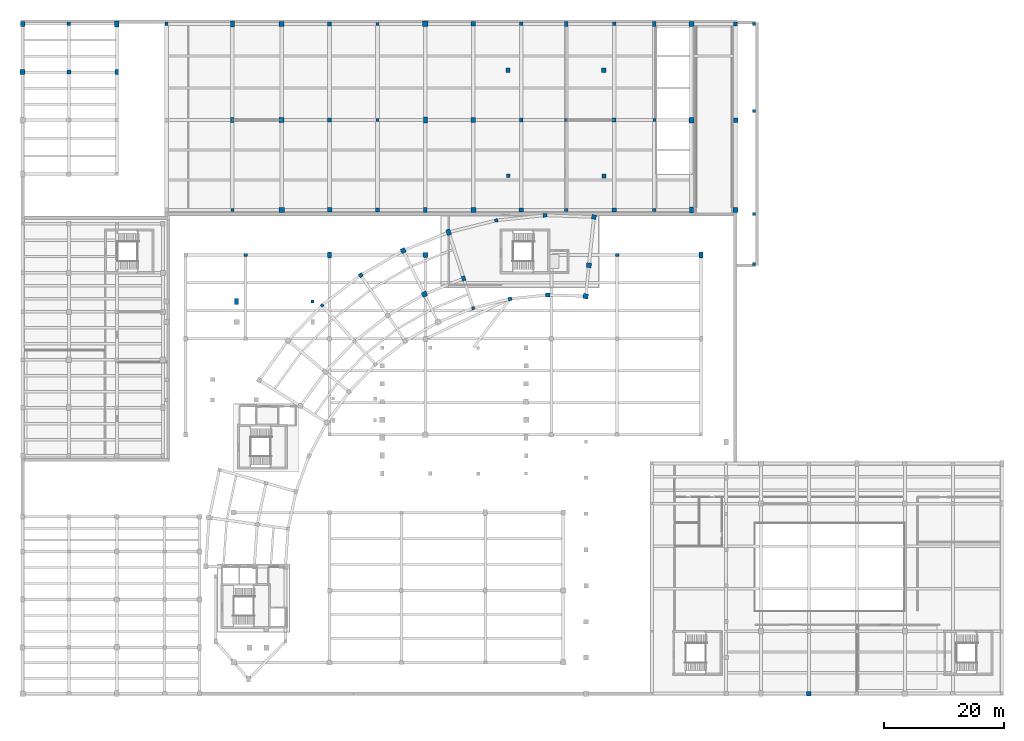
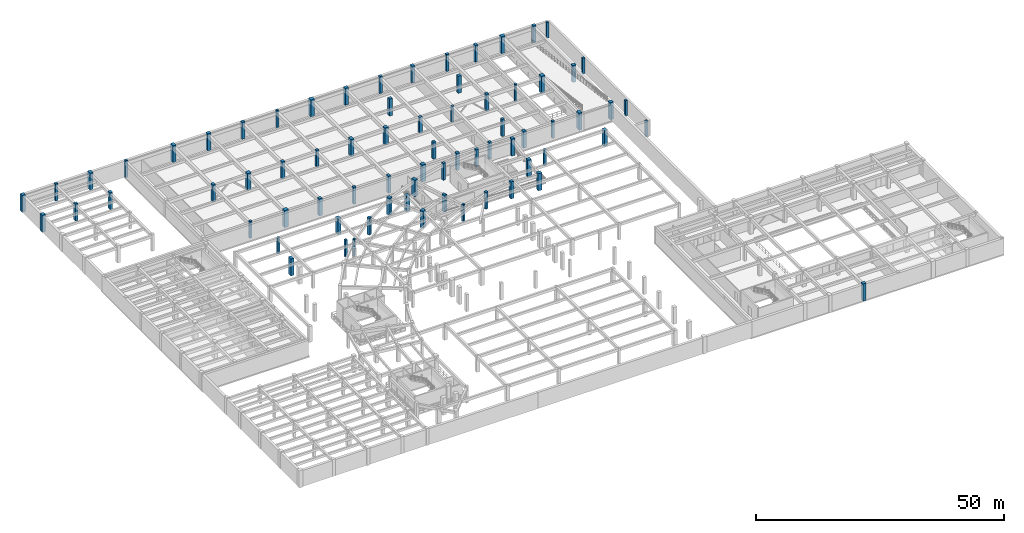
# One storey, part 2 of 35: 73 columns.
"""IFC4 building model written with IfcOpenShell, lengths in metres."""

from ifc_helpers import new_model, si_unit, direction, frame, origin, origin_2d, place, context, subcontext, project, spatial, rectangle, extrude, material, material_profile, profile_set, type_object, element, save


model = new_model("IFC4")

# Units and contexts
model_context = context("Model", 3, precision=1e-05, world=origin(), true_north=direction((0.0, 1.0)))
body_context = subcontext(model_context, "Body", "Model", "MODEL_VIEW")
ifc_project = project(units=[si_unit("LENGTHUNIT", "METRE"), si_unit("AREAUNIT", "SQUARE_METRE"), si_unit("VOLUMEUNIT", "CUBIC_METRE"), si_unit("PLANEANGLEUNIT", "RADIAN"), si_unit("MASSUNIT", "GRAM", prefix="KILO"), si_unit("THERMODYNAMICTEMPERATUREUNIT", "KELVIN"), si_unit("POWERUNIT", "WATT")], contexts=[model_context])

# Site, building, storey
site_placement = place(None, origin())
site = spatial("IfcSite", under=ifc_project, at=site_placement, CompositionType="ELEMENT")
building_placement = place(site_placement, origin())
building = spatial("IfcBuilding", under=site, at=building_placement, Name="Solvatero Civic Police Headquarters", CompositionType="ELEMENT")
storey_placement = place(building_placement, frame((0.0, 0.0, -4.199951171875)))
storey = spatial("IfcBuildingStorey", under=building, at=storey_placement, Name="B01", CompositionType="ELEMENT", Elevation=-4.199951171875)

# Columns
ifc_material = material(Name="Concrete C40/50", Category="concrete")
ifc_material_profile_1 = material_profile(ifc_material, rectangle(XDim=0.5, YDim=0.5, at=origin_2d()), Name="RC 500x500")
ifc_profile_set_1 = profile_set([ifc_material_profile_1], Name="Concrete C40/50")
column_type_1 = type_object("IfcColumnType", Name="COL-RC-500", PredefinedType="COLUMN", material=ifc_profile_set_1)
for number, where, z_axis, x_axis, name in (
    (1, (79.986083984375, 69.13037109375, 0.0), (0.0, 0.0, 1.0), (0.951056516295, 0.309016994375, 0.0), "Column ARC-S03-IN B01"),
    (2, (54.755615234375, 69.58544921875, 0.0), (0.0, 0.0, 1.0), (0.743144825477, 0.669130606359, 0.0), "Column ARC-S06-OUT B01"),
    (3, (53.199951171875, 70.199951171875, 0.0), (0.0, 0.0, 1.0), (1.0, 0.0, 0.0), "Column SB2-E-N B01"),
    (4, (110.199951171875, 100.5, 0.0), (0.0, 0.0, 1.0), (1.0, 0.0, 0.0), "Column V7-X11Y2 B01"),
    (5, (39.800048828125, 85.5, 0.0), (0.0, 0.0, 1.0), (1.0, 0.0, 0.0), "Column V7-X2Y1 B01"),
    (6, (64.0, 116.550048828125, 0.0), (0.0, 0.0, 1.0), (1.0, 0.0, 0.0), "Column V7-X5Y3 B01"),
):
    element("IfcColumn", number, at=place(storey_placement, frame(where, z_axis=z_axis, x_axis=x_axis)), inside=storey, type_object=column_type_1, Name=name, PredefinedType="COLUMN", context=body_context, shape_type="SweptSolid", body=[
        extrude(rectangle(XDim=0.5, YDim=0.5, at=origin_2d()), origin(), (0.0, 0.0, 1.0), 4.199951171875),
    ])
for number, where, z_axis, x_axis, name in (
    (7, (95.5, 100.5, 0.0), (0.0, 0.0, 1.0), (1.0, 0.0, 0.0), "Column V7-X9Y2 B01"),
    (8, (126.800048828125, 76.5, 0.0), (0.0, 0.0, 1.0), (1.0, 0.0, 0.0), "Driveway Support Pier 1 B01"),
    (9, (126.800048828125, 84.800048828125, 0.0), (0.0, 0.0, 1.0), (1.0, 0.0, 0.0), "Driveway Support Pier 2 B01"),
    (10, (126.800048828125, 102.0, 0.0), (0.0, 0.0, 1.0), (1.0, 0.0, 0.0), "Driveway Support Pier 3 B01"),
    (11, (126.800048828125, 116.5, 0.0), (0.0, 0.0, 1.0), (1.0, 0.0, 0.0), "Driveway Support Pier 4 B01"),
):
    element("IfcColumn", number, at=place(storey_placement, frame(where, z_axis=z_axis, x_axis=x_axis)), inside=storey, type_object=column_type_1, Name=name, PredefinedType="COLUMN", context=body_context, shape_type="SweptSolid", body=[
        extrude(rectangle(XDim=0.5, YDim=0.5, at=origin_2d()), origin(), (0.0, 0.0, 1.0), 3.89990234375),
    ])
ifc_material_profile_2 = material_profile(ifc_material, rectangle(XDim=0.550048828125, YDim=0.550048828125, at=origin_2d()), Name="RC 550x550")
ifc_profile_set_2 = profile_set([ifc_material_profile_2], Name="Concrete C40/50")
column_type_2 = type_object("IfcColumnType", Name="COL-RC-550", PredefinedType="COLUMN", material=ifc_profile_set_2)
column_1_placement = place(storey_placement, frame((83.8154296875, 83.759033203125, 0.0), z_axis=(0.0, 0.0, 1.0), x_axis=(0.984807753012, 0.173648177667, 0.0)))
element("IfcColumn", 12, at=column_1_placement, inside=storey, type_object=column_type_2, Name="Column ARC-S02-OUT B01", PredefinedType="COLUMN", context=body_context, shape_type="SweptSolid", body=[
    extrude(rectangle(XDim=0.550048828125, YDim=0.550048828125, at=origin_2d()), origin(), (0.0, 0.0, 1.0), 4.199951171875),
])
for number, where, z_axis, x_axis, name in (
    (13, (42.0, 78.0, 0.0), (0.0, 0.0, 1.0), (1.0, 0.0, 0.0), "Column BSUB-M-X2Y3 B01"),
    (14, (104.0, 78.0, 0.0), (0.0, 0.0, 1.0), (1.0, 0.0, 0.0), "Column BSUB-M-X6Y3 B01"),
):
    element("IfcColumn", number, at=place(storey_placement, frame(where, z_axis=z_axis, x_axis=x_axis)), inside=storey, type_object=column_type_2, Name=name, PredefinedType="COLUMN", context=body_context, shape_type="SweptSolid", body=[
        extrude(rectangle(XDim=0.550048828125, YDim=0.550048828125, at=origin_2d()), origin(), (0.0, 0.0, 1.0), 3.89990234375),
    ])
for number, where, z_axis, x_axis, name in (
    (15, (110.199951171875, 85.5, 0.0), (0.0, 0.0, 1.0), (1.0, 0.0, 0.0), "Column V7-X11Y1 B01"),
    (16, (28.800048828125, 116.550048828125, 0.0), (0.0, 0.0, 1.0), (1.0, 0.0, 0.0), "Column V7-X1Y3 B01"),
    (17, (64.0, 100.5, 0.0), (0.0, 0.0, 1.0), (1.0, 0.0, 0.0), "Column V7-X5Y2 B01"),
    (18, (95.5, 85.5, 0.0), (0.0, 0.0, 1.0), (1.0, 0.0, 0.0), "Column V7-X9Y1 B01"),
):
    element("IfcColumn", number, at=place(storey_placement, frame(where, z_axis=z_axis, x_axis=x_axis)), inside=storey, type_object=column_type_2, Name=name, PredefinedType="COLUMN", context=body_context, shape_type="SweptSolid", body=[
        extrude(rectangle(XDim=0.550048828125, YDim=0.550048828125, at=origin_2d()), origin(), (0.0, 0.0, 1.0), 4.199951171875),
    ])
ifc_material_profile_3 = material_profile(ifc_material, rectangle(XDim=0.60009765625, YDim=0.60009765625, at=origin_2d()), Name="RC 600x600")
ifc_profile_set_3 = profile_set([ifc_material_profile_3], Name="Concrete C40/50")
column_type_3 = type_object("IfcColumnType", Name="COL-RC-600", PredefinedType="COLUMN", material=ifc_profile_set_3)
for number, where, z_axis, x_axis, name in (
    (19, (86.125, 70.660888671875, 0.0), (0.0, 0.0, 1.0), (0.984807753012, 0.173648177667, 0.0), "Column ARC-S02-IN B01"),
    (20, (85.800048828125, 91.199951171875, 0.0), (0.0, 0.0, 1.0), (1.0, 0.0, 0.0), "Column CUSY-SW B01"),
    (21, (103.5, 116.550048828125, 0.0), (0.0, 0.0, 1.0), (1.0, 0.0, 0.0), "Column V7-X10Y3 B01"),
    (22, (64.0, 85.5, 0.0), (0.0, 0.0, 1.0), (1.0, 0.0, 0.0), "Column V7-X5Y1 B01"),
    (23, (88.0, 116.550048828125, 0.0), (0.0, 0.0, 1.0), (1.0, 0.0, 0.0), "Column V7-X8Y3 B01"),
    (24, (12.5, 116.550048828125, 0.0), (0.0, 0.0, 1.0), (1.0, 0.0, 0.0), "Column V7NW-X2Y4 B01"),
):
    element("IfcColumn", number, at=place(storey_placement, frame(where, z_axis=z_axis, x_axis=x_axis)), inside=storey, type_object=column_type_3, Name=name, PredefinedType="COLUMN", context=body_context, shape_type="SweptSolid", body=[
        extrude(rectangle(XDim=0.60009765625, YDim=0.60009765625, at=origin_2d()), origin(), (0.0, 0.0, 1.0), 4.199951171875),
    ])
ifc_material_profile_4 = material_profile(ifc_material, rectangle(XDim=0.60009765625, YDim=0.800048828125, at=origin_2d()), Name="RC 600x800")
ifc_profile_set_4 = profile_set([ifc_material_profile_4], Name="Concrete C40/50")
column_type_4 = type_object("IfcColumnType", Name="COL-RC-600x800", PredefinedType="COLUMN", material=ifc_profile_set_4)
for number, where, z_axis, x_axis, name in (
    (25, (78.379150390625, 74.075927734375, 0.0), (0.0, 0.0, 1.0), (0.951056516295, 0.309016994375, 0.0), "Column ARC-S03-MID B01"),
    (26, (110.199951171875, 116.550048828125, 0.0), (0.0, 0.0, 1.0), (1.0, 0.0, 0.0), "Column V7-X11Y3 B01"),
    (27, (39.800048828125, 100.5, 0.0), (0.0, 0.0, 1.0), (1.0, 0.0, 0.0), "Column V7-X2Y2 B01"),
    (28, (72.0, 85.5, 0.0), (0.0, 0.0, 1.0), (1.0, 0.0, 0.0), "Column V7-X6Y1 B01"),
    (29, (95.5, 116.550048828125, 0.0), (0.0, 0.0, 1.0), (1.0, 0.0, 0.0), "Column V7-X9Y3 B01"),
    (30, (20.5, 108.5, 0.0), (0.0, 0.0, 1.0), (1.0, 0.0, 0.0), "Column V7NW-X3Y3 B01"),
):
    element("IfcColumn", number, at=place(storey_placement, frame(where, z_axis=z_axis, x_axis=x_axis)), inside=storey, type_object=column_type_4, Name=name, PredefinedType="COLUMN", context=body_context, shape_type="SweptSolid", body=[
        extrude(rectangle(XDim=0.60009765625, YDim=0.800048828125, at=origin_2d()), origin(), (0.0, 0.0, 1.0), 4.199951171875),
    ])
ifc_material_profile_5 = material_profile(ifc_material, rectangle(XDim=0.64990234375, YDim=0.64990234375, at=origin_2d()), Name="RC 650x650")
ifc_profile_set_5 = profile_set([ifc_material_profile_5], Name="Concrete C40/50")
column_type_5 = type_object("IfcColumnType", Name="COL-RC-650", PredefinedType="COLUMN", material=ifc_profile_set_5)
for number, where, z_axis, x_axis, name in (
    (31, (91.953125, 84.6142578125, 0.0), (0.0, 0.0, 1.0), (0.999390827019, 0.034899496703, 0.0), "Column ARC-S01-OUT B01"),
    (32, (61.203369140625, 74.623046875, 0.0), (0.0, 0.0, 1.0), (0.829037572555, 0.559192903471, 0.0), "Column ARC-S05-OUT B01"),
    (33, (101.800048828125, 91.199951171875, 0.0), (0.0, 0.0, 1.0), (1.0, 0.0, 0.0), "Column CUSY-SE B01"),
    (34, (103.5, 100.5, 0.0), (0.0, 0.0, 1.0), (1.0, 0.0, 0.0), "Column V7-X10Y2 B01"),
    (35, (56.0, 116.550048828125, 0.0), (0.0, 0.0, 1.0), (1.0, 0.0, 0.0), "Column V7-X4Y3 B01"),
):
    element("IfcColumn", number, at=place(storey_placement, frame(where, z_axis=z_axis, x_axis=x_axis)), inside=storey, type_object=column_type_5, Name=name, PredefinedType="COLUMN", context=body_context, shape_type="SweptSolid", body=[
        extrude(rectangle(XDim=0.64990234375, YDim=0.64990234375, at=origin_2d()), origin(), (0.0, 0.0, 1.0), 4.199951171875),
    ])
column_2_placement = place(storey_placement, frame((88.0, 100.5, 0.0), z_axis=(0.0, 0.0, 1.0), x_axis=(1.0, 0.0, 0.0)))
element("IfcColumn", 36, at=column_2_placement, inside=storey, type_object=column_type_5, Name="Column V7-X8Y2 B01", PredefinedType="COLUMN", context=body_context, shape_type="SweptSolid", body=[
    extrude(rectangle(XDim=0.64990234375, YDim=0.64990234375, at=origin_2d()), origin(), (0.0, 0.0, 1.0), 3.89990234375),
])
column_3_placement = place(storey_placement, frame((12.5, 108.5, 0.0), z_axis=(0.0, 0.0, 1.0), x_axis=(1.0, 0.0, 0.0)))
element("IfcColumn", 37, at=column_3_placement, inside=storey, type_object=column_type_5, Name="Column V7NW-X2Y3 B01", PredefinedType="COLUMN", context=body_context, shape_type="SweptSolid", body=[
    extrude(rectangle(XDim=0.64990234375, YDim=0.64990234375, at=origin_2d()), origin(), (0.0, 0.0, 1.0), 4.199951171875),
])
ifc_material_profile_6 = material_profile(ifc_material, rectangle(XDim=0.699951171875, YDim=0.699951171875, at=origin_2d()), Name="RC 700x700")
ifc_profile_set_6 = profile_set([ifc_material_profile_6], Name="Concrete C40/50")
column_type_6 = type_object("IfcColumnType", Name="COL-RC-700", PredefinedType="COLUMN", material=ifc_profile_set_6)
for number, where, z_axis, x_axis, name in (
    (38, (92.417236328125, 71.322509765625, 0.0), (0.0, 0.0, 1.0), (0.999390827019, 0.034899496703, 0.0), "Column ARC-S01-IN B01"),
    (39, (85.800048828125, 108.800048828125, 0.0), (0.0, 0.0, 1.0), (1.0, 0.0, 0.0), "Column CUSY-NW B01"),
    (40, (103.5, 85.5, 0.0), (0.0, 0.0, 1.0), (1.0, 0.0, 0.0), "Column V7-X10Y1 B01"),
    (41, (123.75, 116.550048828125, 0.0), (0.0, 0.0, 1.0), (1.0, 0.0, 0.0), "Column V7-X13Y3 B01"),
    (42, (56.0, 100.5, 0.0), (0.0, 0.0, 1.0), (1.0, 0.0, 0.0), "Column V7-X4Y2 B01"),
    (43, (88.0, 85.5, 0.0), (0.0, 0.0, 1.0), (1.0, 0.0, 0.0), "Column V7-X8Y1 B01"),
):
    element("IfcColumn", number, at=place(storey_placement, frame(where, z_axis=z_axis, x_axis=x_axis)), inside=storey, type_object=column_type_6, Name=name, PredefinedType="COLUMN", context=body_context, shape_type="SweptSolid", body=[
        extrude(rectangle(XDim=0.699951171875, YDim=0.699951171875, at=origin_2d()), origin(), (0.0, 0.0, 1.0), 4.199951171875),
    ])
ifc_material_profile_7 = material_profile(ifc_material, rectangle(XDim=0.699951171875, YDim=1.0, at=origin_2d()), Name="RC 700x1000")
ifc_profile_set_7 = profile_set([ifc_material_profile_7], Name="Concrete C40/50")
column_type_7 = type_object("IfcColumnType", Name="COL-RC-700x1000", PredefinedType="COLUMN", material=ifc_profile_set_7)
column_4_placement = place(storey_placement, frame((75.876220703125, 81.779541015625, 0.0), z_axis=(0.0, 0.0, 1.0), x_axis=(0.951056516295, 0.309016994375, 0.0)))
element("IfcColumn", 44, at=column_4_placement, inside=storey, type_object=column_type_7, Name="Column ARC-S03-OUT B01", PredefinedType="COLUMN", context=body_context, shape_type="SweptSolid", body=[
    extrude(rectangle(XDim=0.699951171875, YDim=1.0, at=origin_2d()), origin(), (0.0, 0.0, 1.0), 4.199951171875),
])
for number, where, z_axis, x_axis, name in (
    (45, (56.0, 78.0, 0.0), (0.0, 0.0, 1.0), (1.0, 0.0, 0.0), "Column BSUB-M-X3Y3 B01"),
    (46, (118.0, 78.0, 0.0), (0.0, 0.0, 1.0), (1.0, 0.0, 0.0), "Column BSUB-M-X7Y3 B01"),
):
    element("IfcColumn", number, at=place(storey_placement, frame(where, z_axis=z_axis, x_axis=x_axis)), inside=storey, type_object=column_type_7, Name=name, PredefinedType="COLUMN", context=body_context, shape_type="SweptSolid", body=[
        extrude(rectangle(XDim=0.699951171875, YDim=1.0, at=origin_2d()), origin(), (0.0, 0.0, 1.0), 3.89990234375),
    ])
for number, where, z_axis, x_axis, name in (
    (47, (40.5, 70.199951171875, 0.0), (0.0, 0.0, 1.0), (1.0, 0.0, 0.0), "Column SB2-MID-N B01"),
    (48, (116.39990234375, 85.5, 0.0), (0.0, 0.0, 1.0), (1.0, 0.0, 0.0), "Column V7-X12Y1 B01"),
    (49, (39.800048828125, 116.550048828125, 0.0), (0.0, 0.0, 1.0), (1.0, 0.0, 0.0), "Column V7-X2Y3 B01"),
    (50, (72.0, 100.5, 0.0), (0.0, 0.0, 1.0), (1.0, 0.0, 0.0), "Column V7-X6Y2 B01"),
    (51, (20.5, 116.550048828125, 0.0), (0.0, 0.0, 1.0), (1.0, 0.0, 0.0), "Column V7NW-X3Y4 B01"),
):
    element("IfcColumn", number, at=place(storey_placement, frame(where, z_axis=z_axis, x_axis=x_axis)), inside=storey, type_object=column_type_7, Name=name, PredefinedType="COLUMN", context=body_context, shape_type="SweptSolid", body=[
        extrude(rectangle(XDim=0.699951171875, YDim=1.0, at=origin_2d()), origin(), (0.0, 0.0, 1.0), 4.199951171875),
    ])
ifc_material_profile_8 = material_profile(ifc_material, rectangle(XDim=0.75, YDim=0.75, at=origin_2d()), Name="RC 750x750")
ifc_profile_set_8 = profile_set([ifc_material_profile_8], Name="Concrete C40/50")
column_type_8 = type_object("IfcColumnType", Name="COL-RC-750", PredefinedType="COLUMN", material=ifc_profile_set_8)
for number, where, z_axis, x_axis, name in (
    (52, (100.130615234375, 84.32861328125, 0.0), (0.0, 0.0, 1.0), (0.994521895368, -0.104528463268, 0.0), "Column ARC-S00-OUT B01"),
    (53, (101.800048828125, 108.800048828125, 0.0), (0.0, 0.0, 1.0), (1.0, 0.0, 0.0), "Column CUSY-NE B01"),
    (54, (136.0, 4.800048828125, 0.0), (0.0, 0.0, 1.0), (1.0, 0.0, 0.0), "Column V3-X2Y1 B01"),
    (55, (123.75, 100.5, 0.0), (0.0, 0.0, 1.0), (1.0, 0.0, 0.0), "Column V7-X13Y2 B01"),
    (56, (56.0, 85.5, 0.0), (0.0, 0.0, 1.0), (1.0, 0.0, 0.0), "Column V7-X4Y1 B01"),
    (57, (80.0, 116.550048828125, 0.0), (0.0, 0.0, 1.0), (1.0, 0.0, 0.0), "Column V7-X7Y3 B01"),
):
    element("IfcColumn", number, at=place(storey_placement, frame(where, z_axis=z_axis, x_axis=x_axis)), inside=storey, type_object=column_type_8, Name=name, PredefinedType="COLUMN", context=body_context, shape_type="SweptSolid", body=[
        extrude(rectangle(XDim=0.75, YDim=0.75, at=origin_2d()), origin(), (0.0, 0.0, 1.0), 4.199951171875),
    ])
ifc_material_profile_9 = material_profile(ifc_material, rectangle(XDim=0.800048828125, YDim=0.800048828125, at=origin_2d()), Name="RC 800x800")
ifc_profile_set_9 = profile_set([ifc_material_profile_9], Name="Concrete C40/50")
column_type_9 = type_object("IfcColumnType", Name="COL-RC-800", PredefinedType="COLUMN", material=ifc_profile_set_9)
for number, where, z_axis, x_axis, name in (
    (58, (99.283935546875, 76.273193359375, 0.0), (0.0, 0.0, 1.0), (0.994521895368, -0.104528463268, 0.0), "Column ARC-S00-MID B01"),
    (59, (68.28955078125, 78.71435546875, 0.0), (0.0, 0.0, 1.0), (0.898794046299, 0.438371146789, 0.0), "Column ARC-S04-OUT B01"),
):
    element("IfcColumn", number, at=place(storey_placement, frame(where, z_axis=z_axis, x_axis=x_axis)), inside=storey, type_object=column_type_9, Name=name, PredefinedType="COLUMN", context=body_context, shape_type="SweptSolid", body=[
        extrude(rectangle(XDim=0.800048828125, YDim=0.800048828125, at=origin_2d()), origin(), (0.0, 0.0, 1.0), 4.199951171875),
    ])
column_5_placement = place(storey_placement, frame((72.0, 78.0, 0.0), z_axis=(0.0, 0.0, 1.0), x_axis=(1.0, 0.0, 0.0)))
element("IfcColumn", 60, at=column_5_placement, inside=storey, type_object=column_type_9, Name="Column BSUB-M-X4Y3 B01", PredefinedType="COLUMN", context=body_context, shape_type="SweptSolid", body=[
    extrude(rectangle(XDim=0.800048828125, YDim=0.800048828125, at=origin_2d()), origin(), (0.0, 0.0, 1.0), 3.89990234375),
])
for number, where, z_axis, x_axis, name in (
    (61, (123.75, 85.5, 0.0), (0.0, 0.0, 1.0), (1.0, 0.0, 0.0), "Column V7-X13Y1 B01"),
    (62, (48.0, 116.550048828125, 0.0), (0.0, 0.0, 1.0), (1.0, 0.0, 0.0), "Column V7-X3Y3 B01"),
    (63, (80.0, 100.5, 0.0), (0.0, 0.0, 1.0), (1.0, 0.0, 0.0), "Column V7-X7Y2 B01"),
    (64, (4.800048828125, 116.550048828125, 0.0), (0.0, 0.0, 1.0), (1.0, 0.0, 0.0), "Column V7NW-X1Y4 B01"),
):
    element("IfcColumn", number, at=place(storey_placement, frame(where, z_axis=z_axis, x_axis=x_axis)), inside=storey, type_object=column_type_9, Name=name, PredefinedType="COLUMN", context=body_context, shape_type="SweptSolid", body=[
        extrude(rectangle(XDim=0.800048828125, YDim=0.800048828125, at=origin_2d()), origin(), (0.0, 0.0, 1.0), 4.199951171875),
    ])
ifc_material_profile_10 = material_profile(ifc_material, rectangle(XDim=0.85009765625, YDim=0.85009765625, at=origin_2d()), Name="RC 850x850")
ifc_profile_set_10 = profile_set([ifc_material_profile_10], Name="Concrete C40/50")
column_type_10 = type_object("IfcColumnType", Name="COL-RC-850", PredefinedType="COLUMN", material=ifc_profile_set_10)
for number, where, z_axis, x_axis, name in (
    (65, (98.740478515625, 71.1015625, 0.0), (0.0, 0.0, 1.0), (0.994521895368, -0.104528463268, 0.0), "Column ARC-S00-IN B01"),
    (66, (71.84033203125, 71.43408203125, 0.0), (0.0, 0.0, 1.0), (0.898794046299, 0.438371146789, 0.0), "Column ARC-S04-MID B01"),
    (67, (116.39990234375, 116.550048828125, 0.0), (0.0, 0.0, 1.0), (1.0, 0.0, 0.0), "Column V7-X12Y3 B01"),
    (68, (48.0, 100.5, 0.0), (0.0, 0.0, 1.0), (1.0, 0.0, 0.0), "Column V7-X3Y2 B01"),
    (69, (80.0, 85.5, 0.0), (0.0, 0.0, 1.0), (1.0, 0.0, 0.0), "Column V7-X7Y1 B01"),
    (70, (4.800048828125, 108.5, 0.0), (0.0, 0.0, 1.0), (1.0, 0.0, 0.0), "Column V7NW-X1Y3 B01"),
):
    element("IfcColumn", number, at=place(storey_placement, frame(where, z_axis=z_axis, x_axis=x_axis)), inside=storey, type_object=column_type_10, Name=name, PredefinedType="COLUMN", context=body_context, shape_type="SweptSolid", body=[
        extrude(rectangle(XDim=0.85009765625, YDim=0.85009765625, at=origin_2d()), origin(), (0.0, 0.0, 1.0), 4.199951171875),
    ])
ifc_material_profile_11 = material_profile(ifc_material, rectangle(XDim=0.89990234375, YDim=0.89990234375, at=origin_2d()), Name="RC 900x900")
ifc_profile_set_11 = profile_set([ifc_material_profile_11], Name="Concrete C40/50")
column_type_11 = type_object("IfcColumnType", Name="COL-RC-900", PredefinedType="COLUMN", material=ifc_profile_set_11)
for number, where, z_axis, x_axis, name in (
    (71, (116.39990234375, 100.5, 0.0), (0.0, 0.0, 1.0), (1.0, 0.0, 0.0), "Column V7-X12Y2 B01"),
    (72, (48.0, 85.5, 0.0), (0.0, 0.0, 1.0), (1.0, 0.0, 0.0), "Column V7-X3Y1 B01"),
    (73, (72.0, 116.550048828125, 0.0), (0.0, 0.0, 1.0), (1.0, 0.0, 0.0), "Column V7-X6Y3 B01"),
):
    element("IfcColumn", number, at=place(storey_placement, frame(where, z_axis=z_axis, x_axis=x_axis)), inside=storey, type_object=column_type_11, Name=name, PredefinedType="COLUMN", context=body_context, shape_type="SweptSolid", body=[
        extrude(rectangle(XDim=0.89990234375, YDim=0.89990234375, at=origin_2d()), origin(), (0.0, 0.0, 1.0), 4.199951171875),
    ])

save(model, "model.ifc")
